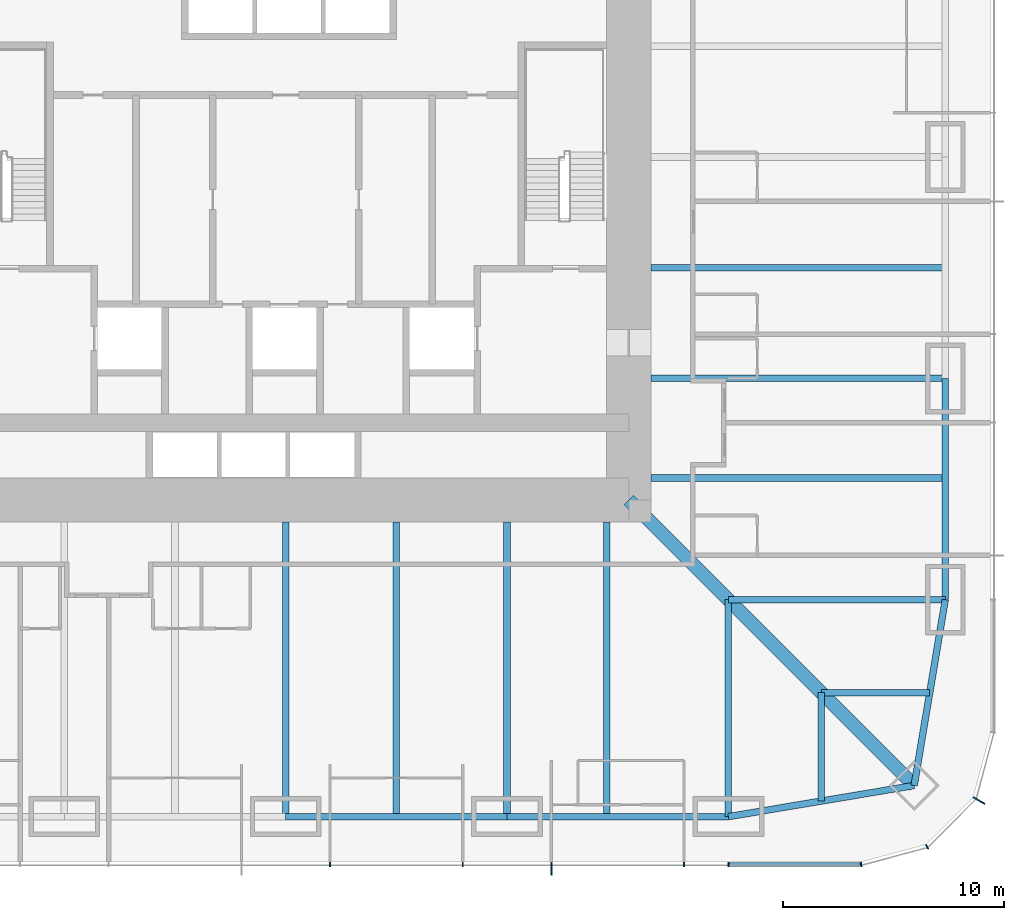
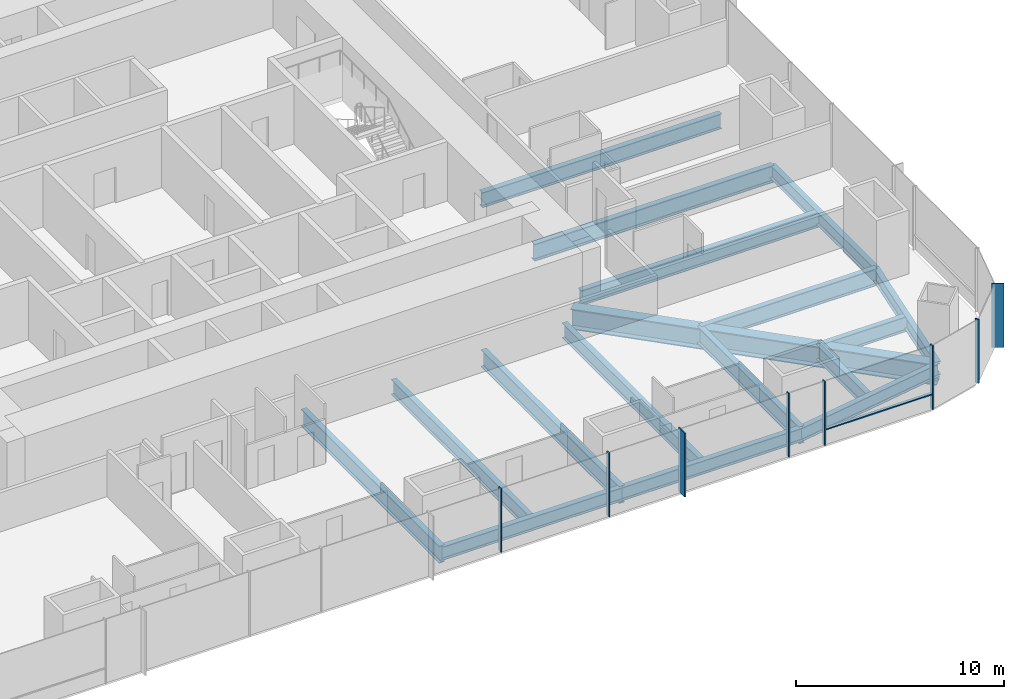
# One storey, part 4 of 20: 17 beams, 9 members, 2 elements without a shape of their own.
"""IFC4 building model written with IfcOpenShell, lengths in metres."""

from ifc_helpers import new_model, si_unit, direction, frame, origin, origin_2d, place, context, subcontext, project, spatial, rectangle, i_section, extrude, material, material_profile, profile_set, type_object, element, aggregate, save


model = new_model("IFC4")

# Units and contexts
model_context = context("Model", 3, precision=1e-05, world=origin(), true_north=direction((0.0, 1.0)))
body_context = subcontext(model_context, "Body", "Model", "MODEL_VIEW")
ifc_project = project(units=[si_unit("LENGTHUNIT", "METRE"), si_unit("AREAUNIT", "SQUARE_METRE"), si_unit("VOLUMEUNIT", "CUBIC_METRE"), si_unit("PLANEANGLEUNIT", "RADIAN"), si_unit("MASSUNIT", "GRAM", prefix="KILO")], contexts=[model_context])

# Site, building, storey
site_placement = place(None, origin())
site = spatial("IfcSite", under=ifc_project, at=site_placement, CompositionType="ELEMENT")
building_placement = place(site_placement, origin())
building = spatial("IfcBuilding", under=site, at=building_placement, Name="Khuree Lantern Residences", CompositionType="ELEMENT")
storey_placement = place(building_placement, frame((0.0, 0.0, 32.25)))
storey = spatial("IfcBuildingStorey", under=building, at=storey_placement, Name="L07", CompositionType="ELEMENT", Elevation=32.25)

# Beams
ifc_material_1 = material(Name="Steel S355", Category="steel")
ifc_material_profile_1 = material_profile(ifc_material_1, i_section(OverallWidth=0.300048828125, OverallDepth=0.889892578125, WebThickness=0.01611328125, FlangeThickness=0.030029296875, FilletRadius=0.030029296875, at=origin_2d()), Name="HE 900 A")
ifc_profile_set_1 = profile_set([ifc_material_profile_1], Name="Steel S355")
beam_type_1 = type_object("IfcBeamType", Name="B-11 SECONDARY BEAM HE 900 A", PredefinedType="BEAM", material=ifc_profile_set_1)
for number, where, z_axis, x_axis, name in (
    (1, (29.800048828125, -5.0, -0.695068359375), (-1.0, 0.0, 0.0), (0.0, -1.0, 0.0), "Secondary beam E4"),
    (2, (29.800048828125, -14.5, -0.695068359375), (-1.0, 0.0, 0.0), (0.0, -1.0, 0.0), "Secondary beam E5"),
):
    element("IfcBeam", number, at=place(storey_placement, frame(where, z_axis=z_axis, x_axis=x_axis)), inside=storey, type_object=beam_type_1, Name=name, PredefinedType="BEAM", context=body_context, shape_type="SweptSolid", body=[
        extrude(i_section(OverallWidth=0.300048828125, OverallDepth=0.889892578125, WebThickness=0.01611328125, FlangeThickness=0.030029296875, FilletRadius=0.030029296875, at=origin_2d()), origin(), (0.0, 0.0, 1.0), 13.300048828125),
    ])
for number, where, z_axis, x_axis, name in (
    (3, (29.09716796875, -24.197021484375, -0.695068359375), (-1.0, 0.0, 0.0), (0.0, -1.0, 0.0), "Secondary beam E6"),
    (4, (24.197021484375, -29.09716796875, -0.695068359375), (0.0, 1.0, 0.0), (-1.0, 0.0, 0.0), "Secondary beam S1"),
):
    element("IfcBeam", number, at=place(storey_placement, frame(where, z_axis=z_axis, x_axis=x_axis)), inside=storey, type_object=beam_type_1, Name=name, PredefinedType="BEAM", context=body_context, shape_type="SweptSolid", body=[
        extrude(i_section(OverallWidth=0.300048828125, OverallDepth=0.889892578125, WebThickness=0.01611328125, FlangeThickness=0.030029296875, FilletRadius=0.030029296875, at=origin_2d()), origin(), (0.0, 0.0, 1.0), 4.900146484375),
    ])
for number, where, z_axis, x_axis, name in (
    (5, (14.5, -29.800048828125, -0.695068359375), (0.0, 1.0, 0.0), (-1.0, 0.0, 0.0), "Secondary beam S2"),
    (6, (5.0, -29.800048828125, -0.695068359375), (0.0, 1.0, 0.0), (-1.0, 0.0, 0.0), "Secondary beam S3"),
):
    element("IfcBeam", number, at=place(storey_placement, frame(where, z_axis=z_axis, x_axis=x_axis)), inside=storey, type_object=beam_type_1, Name=name, PredefinedType="BEAM", context=body_context, shape_type="SweptSolid", body=[
        extrude(i_section(OverallWidth=0.300048828125, OverallDepth=0.889892578125, WebThickness=0.01611328125, FlangeThickness=0.030029296875, FilletRadius=0.030029296875, at=origin_2d()), origin(), (0.0, 0.0, 1.0), 13.300048828125),
    ])
ifc_material_profile_2 = material_profile(ifc_material_1, i_section(OverallWidth=0.300048828125, OverallDepth=0.7900390625, WebThickness=0.014892578125, FlangeThickness=0.028076171875, FilletRadius=0.030029296875, at=origin_2d()), Name="HE 800 A")
ifc_profile_set_2 = profile_set([ifc_material_profile_2], Name="Steel S355")
beam_type_2 = type_object("IfcBeamType", Name="E-11 SPANDREL BEAM HE 800 A", PredefinedType="SPANDREL", material=ifc_profile_set_2)
beam_1_placement = place(storey_placement, frame((29.800048828125, -10.0, -0.64501953125), z_axis=(0.0, -1.0, 0.0), x_axis=(1.0, 0.0, 0.0)))
element("IfcBeam", 7, at=beam_1_placement, inside=storey, type_object=beam_type_2, Name="Spandrel beam E5", PredefinedType="SPANDREL", context=body_context, shape_type="SweptSolid", body=[
    extrude(i_section(OverallWidth=0.300048828125, OverallDepth=0.7900390625, WebThickness=0.014892578125, FlangeThickness=0.028076171875, FilletRadius=0.030029296875, at=origin_2d()), origin(), (0.0, 0.0, 1.0), 10.0),
])
for number, where, z_axis, x_axis, name in (
    (8, (29.800048828125, -20.0, -0.64501953125), (-0.165199022349, -0.986260251158, 0.0), (0.986260251158, -0.165199022349, 0.0), "Spandrel beam E6"),
    (9, (28.39404296875, -28.39404296875, -0.64501953125), (-0.986260251158, -0.165199022349, 0.0), (0.165199022349, -0.986260251158, 0.0), "Spandrel beam S1"),
):
    element("IfcBeam", number, at=place(storey_placement, frame(where, z_axis=z_axis, x_axis=x_axis)), inside=storey, type_object=beam_type_2, Name=name, PredefinedType="SPANDREL", context=body_context, shape_type="SweptSolid", body=[
        extrude(i_section(OverallWidth=0.300048828125, OverallDepth=0.7900390625, WebThickness=0.014892578125, FlangeThickness=0.028076171875, FilletRadius=0.030029296875, at=origin_2d()), origin(), (0.0, 0.0, 1.0), 8.510986328125),
    ])
for number, where, z_axis, x_axis, name in (
    (10, (20.0, -29.800048828125, -0.64501953125), (-1.0, 0.0, 0.0), (0.0, -1.0, 0.0), "Spandrel beam S2"),
    (11, (10.0, -29.800048828125, -0.64501953125), (-1.0, 0.0, 0.0), (0.0, -1.0, 0.0), "Spandrel beam S3"),
):
    element("IfcBeam", number, at=place(storey_placement, frame(where, z_axis=z_axis, x_axis=x_axis)), inside=storey, type_object=beam_type_2, Name=name, PredefinedType="SPANDREL", context=body_context, shape_type="SweptSolid", body=[
        extrude(i_section(OverallWidth=0.300048828125, OverallDepth=0.7900390625, WebThickness=0.014892578125, FlangeThickness=0.028076171875, FilletRadius=0.030029296875, at=origin_2d()), origin(), (0.0, 0.0, 1.0), 10.0),
    ])

# Curtain wall, member
ifc_material_2 = material(Name="Bronze anodised aluminium", Category="aluminium")
curtain_wall_type_1 = type_object("IfcCurtainWallType", Name="CW-T2 TOWER CORNER CURTAIN WALL", PredefinedType="USERDEFINED", material=ifc_material_2)
curtain_wall_1_placement = place(storey_placement, origin())
curtain_wall_1 = element("IfcCurtainWall", 12, at=curtain_wall_1_placement, inside=storey, type_object=curtain_wall_type_1, Name="L07 SOUTH-EAST CORNER CURTAIN WALL", ObjectType="Faceted corner curtain wall", PredefinedType="USERDEFINED")
ifc_material_profile_3 = material_profile(ifc_material_2, rectangle(XDim=0.06494140625, YDim=0.60009765625, at=origin_2d()), Name="F1 65X600")
ifc_profile_set_3 = profile_set([ifc_material_profile_3], Name="Bronze anodised aluminium")
member_type_1 = type_object("IfcMemberType", Name="F1 BRONZE FIN MULLION TOWER 65X600", PredefinedType="MULLION", material=ifc_profile_set_3)
member_1_placement = place(storey_placement, frame((31.326171875, -29.074951171875, 0.0), z_axis=(0.0, 0.0, 1.0), x_axis=(0.500000056923, 0.86602537092, 0.0)))
member_1 = element("IfcMember", 13, at=member_1_placement, type_object=member_type_1, Name="L07 SOUTH-EAST CORNER FIN MULLION 3", PredefinedType="MULLION", context=body_context, shape_type="SweptSolid", body=[
    extrude(rectangle(XDim=0.06494140625, YDim=0.60009765625, at=origin_2d()), origin(), (0.0, 0.0, 1.0), 3.75),
])

curtain_wall_type_2 = type_object("IfcCurtainWallType", Name="CW-T1 TOWER FACE CURTAIN WALL", PredefinedType="USERDEFINED", material=ifc_material_2)
curtain_wall_2_placement = place(storey_placement, origin())
curtain_wall_2 = element("IfcCurtainWall", 14, at=curtain_wall_2_placement, inside=storey, type_object=curtain_wall_type_2, Name="L07 SOUTH FACE CURTAIN WALL", ObjectType="Stick-built curtain wall", PredefinedType="USERDEFINED")
member_2_placement = place(storey_placement, frame((12.0, -32.14990234375, 0.0), z_axis=(0.0, 0.0, 1.0), x_axis=(1.0, 0.0, 0.0)))
member_2 = element("IfcMember", 15, at=member_2_placement, type_object=member_type_1, Name="L07 SOUTH FACE FIN MULLION 54", PredefinedType="MULLION", context=body_context, shape_type="SweptSolid", body=[
    extrude(rectangle(XDim=0.06494140625, YDim=0.60009765625, at=origin_2d()), origin(), (0.0, 0.0, 1.0), 3.75),
])

# Beams
ifc_material_profile_4 = material_profile(ifc_material_1, i_section(OverallWidth=0.302001953125, OverallDepth=1.008056640625, WebThickness=0.02099609375, FlangeThickness=0.0400390625, FilletRadius=0.030029296875, at=origin_2d()), Name="HE 1000 M")
ifc_profile_set_4 = profile_set([ifc_material_profile_4], Name="Steel S355")
beam_type_3 = type_object("IfcBeamType", Name="G-11 GIRDER HE 1000 M", PredefinedType="BEAM", material=ifc_profile_set_4)
beam_2_placement = place(storey_placement, frame((29.800048828125, -10.0, -0.75390625), z_axis=(-1.0, 0.0, 0.0), x_axis=(0.0, -1.0, 0.0)))
element("IfcBeam", 16, at=beam_2_placement, inside=storey, type_object=beam_type_3, Name="Girder E4", PredefinedType="BEAM", context=body_context, shape_type="SweptSolid", body=[
    extrude(i_section(OverallWidth=0.302001953125, OverallDepth=1.008056640625, WebThickness=0.02099609375, FlangeThickness=0.0400390625, FilletRadius=0.030029296875, at=origin_2d()), origin(), (0.0, 0.0, 1.0), 13.300048828125),
])
for number, where, z_axis, x_axis, name in (
    (17, (29.800048828125, -20.0, -0.75390625), (-1.0, 0.0, 0.0), (0.0, -1.0, 0.0), "Girder E5"),
    (18, (20.0, -29.800048828125, -0.75390625), (0.0, 1.0, 0.0), (-1.0, 0.0, 0.0), "Girder S1"),
):
    element("IfcBeam", number, at=place(storey_placement, frame(where, z_axis=z_axis, x_axis=x_axis)), inside=storey, type_object=beam_type_3, Name=name, PredefinedType="BEAM", context=body_context, shape_type="SweptSolid", body=[
        extrude(i_section(OverallWidth=0.302001953125, OverallDepth=1.008056640625, WebThickness=0.02099609375, FlangeThickness=0.0400390625, FilletRadius=0.030029296875, at=origin_2d()), origin(), (0.0, 0.0, 1.0), 9.800048828125),
    ])
for number, where, z_axis, x_axis, name in (
    (19, (10.0, -29.800048828125, -0.75390625), (0.0, 1.0, 0.0), (-1.0, 0.0, 0.0), "Girder S2"),
    (20, (0.0, -29.800048828125, -0.75390625), (0.0, 1.0, 0.0), (-1.0, 0.0, 0.0), "Girder S3"),
):
    element("IfcBeam", number, at=place(storey_placement, frame(where, z_axis=z_axis, x_axis=x_axis)), inside=storey, type_object=beam_type_3, Name=name, PredefinedType="BEAM", context=body_context, shape_type="SweptSolid", body=[
        extrude(i_section(OverallWidth=0.302001953125, OverallDepth=1.008056640625, WebThickness=0.02099609375, FlangeThickness=0.0400390625, FilletRadius=0.030029296875, at=origin_2d()), origin(), (0.0, 0.0, 1.0), 13.300048828125),
    ])
ifc_material_profile_5 = material_profile(ifc_material_1, i_section(OverallWidth=0.60009765625, OverallDepth=1.199951171875, WebThickness=0.030029296875, FlangeThickness=0.06005859375, at=origin_2d()), Name="WELDED I 1200X600X30X60")
ifc_profile_set_5 = profile_set([ifc_material_profile_5], Name="Steel S355")
beam_type_4 = type_object("IfcBeamType", Name="GD-11 CORNER GIRDER WELDED I 1200X600X30X60", PredefinedType="BEAM", material=ifc_profile_set_5)
beam_3_placement = place(storey_placement, frame((28.39404296875, -28.39404296875, -0.85009765625), z_axis=(-0.707106781187, 0.707106781187, 0.0), x_axis=(-0.707106781187, -0.707106781187, 0.0)))
element("IfcBeam", 21, at=beam_3_placement, inside=storey, type_object=beam_type_4, Name="Corner girder SE", PredefinedType="BEAM", context=body_context, shape_type="SweptSolid", body=[
    extrude(i_section(OverallWidth=0.60009765625, OverallDepth=1.199951171875, WebThickness=0.030029296875, FlangeThickness=0.06005859375, at=origin_2d()), origin(), (0.0, 0.0, 1.0), 18.23486328125),
])

# Member
ifc_material_profile_6 = material_profile(ifc_material_2, rectangle(XDim=0.06494140625, YDim=0.219970703125, at=origin_2d()), Name="M1 65X220")
ifc_profile_set_6 = profile_set([ifc_material_profile_6], Name="Bronze anodised aluminium")
member_type_2 = type_object("IfcMemberType", Name="M1 BRONZE MULLION TOWER 65X220", PredefinedType="MULLION", material=ifc_profile_set_6)
member_3_placement = place(storey_placement, frame((25.994873046875, -31.961669921875, 0.0), z_axis=(0.0, 0.0, 1.0), x_axis=(0.991444852794, 0.130526257387, 0.0)))
member_3 = element("IfcMember", 22, at=member_3_placement, type_object=member_type_2, Name="L07 SOUTH-EAST CORNER MULLION 1", PredefinedType="MULLION", context=body_context, shape_type="SweptSolid", body=[
    extrude(rectangle(XDim=0.06494140625, YDim=0.219970703125, at=origin_2d()), origin(), (0.0, 0.0, 1.0), 3.75),
])

member_4_placement = place(storey_placement, frame((28.97998046875, -31.16162109375, 0.0), z_axis=(0.0, 0.0, 1.0), x_axis=(0.86602537092, 0.500000056923, 0.0)))
member_4 = element("IfcMember", 23, at=member_4_placement, type_object=member_type_2, Name="L07 SOUTH-EAST CORNER MULLION 2", PredefinedType="MULLION", context=body_context, shape_type="SweptSolid", body=[
    extrude(rectangle(XDim=0.06494140625, YDim=0.219970703125, at=origin_2d()), origin(), (0.0, 0.0, 1.0), 3.75),
])

aggregate(curtain_wall_1, [member_3, member_4, member_1])

member_5_placement = place(storey_placement, frame((2.0, -31.9599609375, 0.0), z_axis=(0.0, 0.0, 1.0), x_axis=(1.0, 0.0, 0.0)))
member_5 = element("IfcMember", 24, at=member_5_placement, type_object=member_type_2, Name="L07 SOUTH FACE MULLION 52", PredefinedType="MULLION", context=body_context, shape_type="SweptSolid", body=[
    extrude(rectangle(XDim=0.06494140625, YDim=0.219970703125, at=origin_2d()), origin(), (0.0, 0.0, 1.0), 3.75),
])

member_6_placement = place(storey_placement, frame((8.0, -31.9599609375, 0.0), z_axis=(0.0, 0.0, 1.0), x_axis=(1.0, 0.0, 0.0)))
member_6 = element("IfcMember", 25, at=member_6_placement, type_object=member_type_2, Name="L07 SOUTH FACE MULLION 53", PredefinedType="MULLION", context=body_context, shape_type="SweptSolid", body=[
    extrude(rectangle(XDim=0.06494140625, YDim=0.219970703125, at=origin_2d()), origin(), (0.0, 0.0, 1.0), 3.75),
])

member_7_placement = place(storey_placement, frame((18.0, -31.9599609375, 0.0), z_axis=(0.0, 0.0, 1.0), x_axis=(1.0, 0.0, 0.0)))
member_7 = element("IfcMember", 26, at=member_7_placement, type_object=member_type_2, Name="L07 SOUTH FACE MULLION 55", PredefinedType="MULLION", context=body_context, shape_type="SweptSolid", body=[
    extrude(rectangle(XDim=0.06494140625, YDim=0.219970703125, at=origin_2d()), origin(), (0.0, 0.0, 1.0), 3.75),
])

member_8_placement = place(storey_placement, frame((20.0, -31.9599609375, 0.0), z_axis=(0.0, 0.0, 1.0), x_axis=(1.0, 0.0, 0.0)))
member_8 = element("IfcMember", 27, at=member_8_placement, type_object=member_type_2, Name="L07 SOUTH FACE MULLION 56", PredefinedType="MULLION", context=body_context, shape_type="SweptSolid", body=[
    extrude(rectangle(XDim=0.06494140625, YDim=0.219970703125, at=origin_2d()), origin(), (0.0, 0.0, 1.0), 3.75),
])

ifc_material_profile_7 = material_profile(ifc_material_2, rectangle(XDim=0.179931640625, YDim=0.06494140625, at=origin_2d()), Name="T1 180X65")
ifc_profile_set_7 = profile_set([ifc_material_profile_7], Name="Bronze anodised aluminium")
member_type_3 = type_object("IfcMemberType", Name="TRANSOM T1 TOWER 180X65", PredefinedType="USERDEFINED", material=ifc_profile_set_7)
member_9_placement = place(storey_placement, frame((20.032470703125, -31.969970703125, 0.89990234375), z_axis=(1.0, 0.0, 0.0), x_axis=(0.0, 1.0, 0.0)))
member_9 = element("IfcMember", 28, at=member_9_placement, type_object=member_type_3, Name="L07 SOUTH FACE TRANSOM 56.1", ObjectType="Transom", PredefinedType="USERDEFINED", context=body_context, shape_type="SweptSolid", body=[
    extrude(rectangle(XDim=0.179931640625, YDim=0.06494140625, at=origin_2d()), origin(), (0.0, 0.0, 1.0), 5.9189453125),
])

aggregate(curtain_wall_2, [member_5, member_6, member_2, member_7, member_8, member_9])

save(model, "model.ifc")
